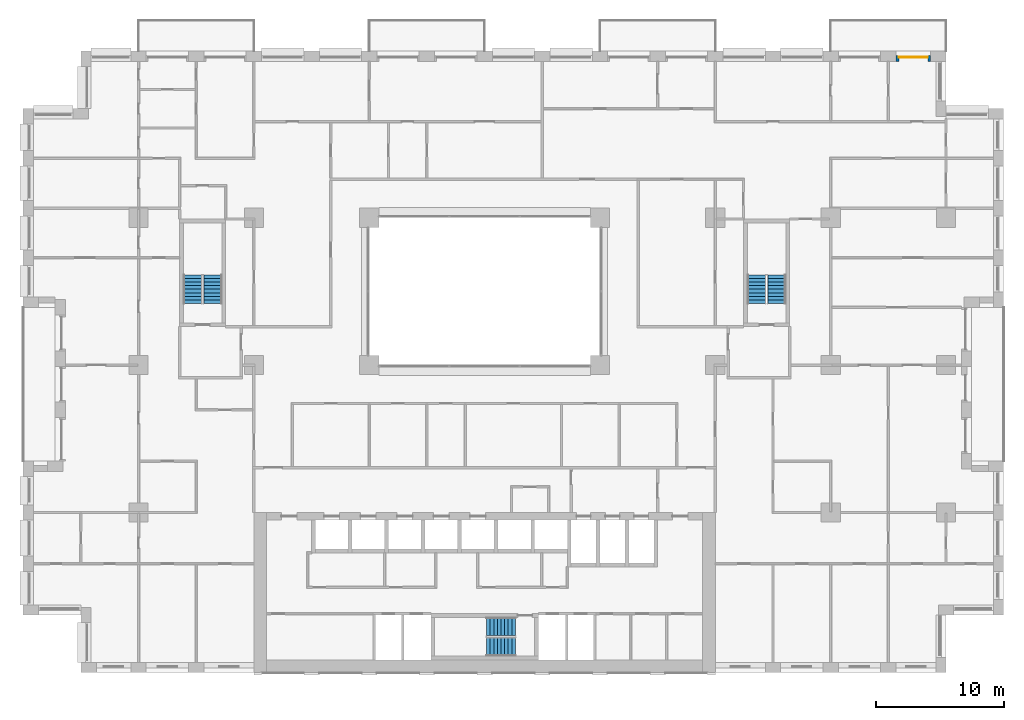
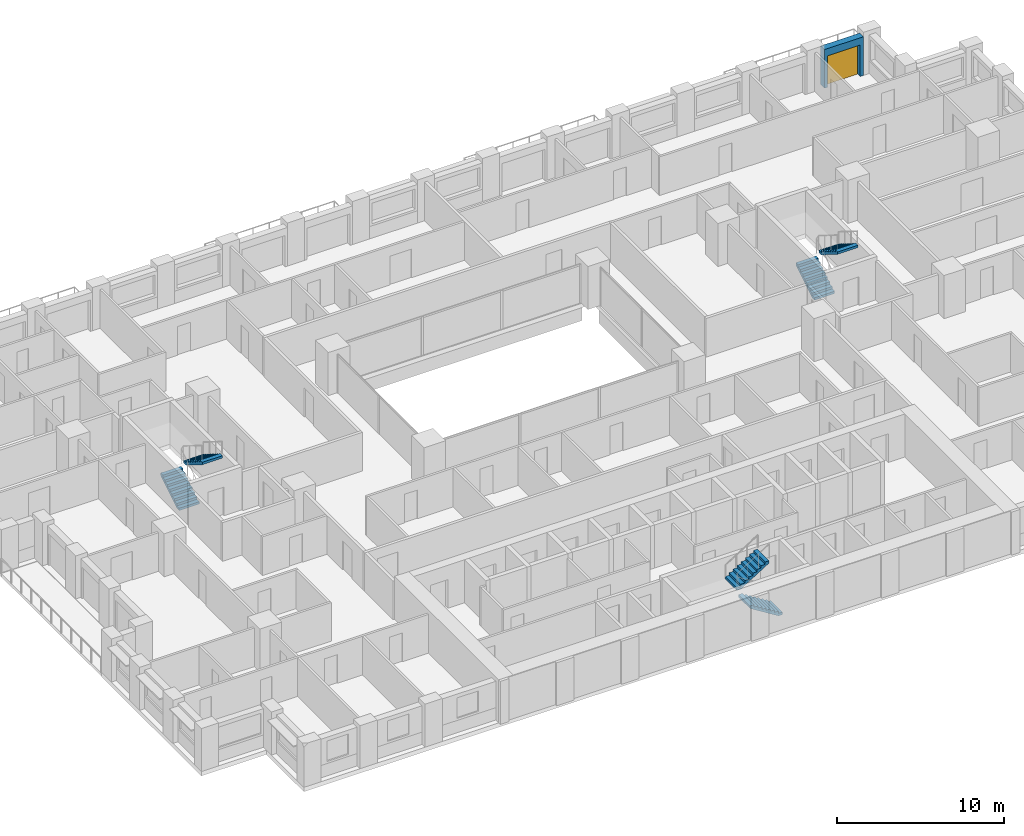
# One storey, part 18 of 20: 6 stair flights, 1 door, 1 wall, 1 opening, 3 elements without a shape of their own.
"""IFC4 building model written with IfcOpenShell, lengths in metres."""

from ifc_helpers import new_model, si_unit, direction, frame, frame_2d, origin, place, context, subcontext, project, spatial, polyline, rectangle, outline, extrude, material, layer, layer_set, type_object, element, fill, aggregate, save


model = new_model("IFC4")

# Units and contexts
model_context = context("Model", 3, precision=1e-05, world=origin(), true_north=direction((0.0, 1.0)))
body_context = subcontext(model_context, "Body", "Model", "MODEL_VIEW")
ifc_project = project(units=[si_unit("LENGTHUNIT", "METRE"), si_unit("AREAUNIT", "SQUARE_METRE"), si_unit("VOLUMEUNIT", "CUBIC_METRE"), si_unit("PLANEANGLEUNIT", "RADIAN"), si_unit("MASSUNIT", "GRAM", prefix="KILO")], contexts=[model_context])

# Site, building, storey
site_placement = place(None, origin())
site = spatial("IfcSite", under=ifc_project, at=site_placement, CompositionType="ELEMENT")
building_placement = place(site_placement, origin())
building = spatial("IfcBuilding", under=site, at=building_placement, Name="Brigalow Station Residences", CompositionType="ELEMENT")
storey_placement = place(building_placement, frame((0.0, 0.0, 63.60009765625)))
storey = spatial("IfcBuildingStorey", under=building, at=storey_placement, Name="L18", CompositionType="ELEMENT", Elevation=63.60009765625)

# Wall, opening, door
ifc_material_1 = material(Name="Clay brick masonry", Category="masonry")
ifc_layer = layer(ifc_material_1, 0.449951171875)
ifc_layer_set = layer_set([ifc_layer], Name="BRICK INFILL WALL 450")
wall_type = type_object("IfcWallType", Name="BRICK INFILL WALL 450", PredefinedType="SOLIDWALL", material=ifc_layer_set)
wall_placement = place(storey_placement, frame((70.800048828125, 47.925048828125, 0.0), z_axis=(0.0, 0.0, 1.0), x_axis=(-1.0, 0.0, 0.0)))
wall = element("IfcWall", 1, at=wall_placement, inside=storey, type_object=wall_type, Name="L18/ewall/W-L18-25", PredefinedType="SOLIDWALL", context=body_context, shape_type="SweptSolid", body=[
    extrude(rectangle(XDim=2.699951171875, YDim=0.449951171875, at=frame_2d((1.35009765625, 0.0))), origin(), (0.0, 0.0, 1.0), 2.829833984375),
])
opening_placement = place(wall_placement, frame((0.22509765625, 0.0, 0.0)))
opening = element("IfcOpeningElement", 2, at=opening_placement, cuts=wall, Name="Opening D-B2250", PredefinedType="OPENING", context=body_context, shape_type="SweptSolid", body=[
    extrude(rectangle(XDim=2.25, YDim=2.300048828125, at=frame_2d((1.125, 1.14990234375))), frame((0.0, 0.23486328125, 0.0), z_axis=(0.0, -1.0, 0.0), x_axis=(1.0, 0.0, 0.0)), (0.0, 0.0, 1.0), 0.469970703125),
])
ifc_material_2 = material(Name="Anodised aluminium frame with double glazing", Category="aluminium")
door_type = type_object("IfcDoorType", Name="BALCONY SLIDING DOOR 2250x2300", OperationType="SLIDING_TO_LEFT", PredefinedType="DOOR", material=ifc_material_2)
door_placement = place(opening_placement, origin())
door = element("IfcDoor", 3, at=door_placement, inside=storey, type_object=door_type, Name="L18/balcony-door/W-L18-25", OperationType="SLIDING_TO_LEFT", OverallHeight=2.300048828125, OverallWidth=2.25, PredefinedType="DOOR", context=body_context, shape_type="SweptSolid", body=[
    extrude(rectangle(XDim=2.25, YDim=2.300048828125, at=frame_2d((1.125, 1.14990234375))), frame((0.0, -0.06982421875, 0.0), z_axis=(0.0, -1.0, 0.0), x_axis=(1.0, 0.0, 0.0)), (0.0, 0.0, 1.0), 0.050048828125),
])
fill(opening, door)

# Stair, stair flights
ifc_material_3 = material(Name="Concrete C50", Category="concrete")
stair_type = type_object("IfcStairType", Name="EXIT STAIR 1400 2 FLIGHT", PredefinedType="HALF_TURN_STAIR", material=ifc_material_3)
stair_1_placement = place(storey_placement, origin())
stair_1 = element("IfcStair", 4, at=stair_1_placement, inside=storey, type_object=stair_type, Name="EXIT STAIR S2 L18", PredefinedType="HALF_TURN_STAIR")
ifc_material_4 = material(Name="Concrete C50", Category="concrete")
stair_flight_type = type_object("IfcStairFlightType", Name="STAIR FLIGHT 1400", PredefinedType="STRAIGHT", material=ifc_material_4)
stair_flight_1_placement = place(storey_placement, frame((38.39990234375, 2.0, 0.0), z_axis=(0.0, 0.0, 1.0), x_axis=(-1.0, 0.0, 0.0)))
stair_flight_1 = element("IfcStairFlight", 5, at=stair_flight_1_placement, type_object=stair_flight_type, Name="ST-2 flight 1", NumberOfRisers=9, NumberOfTreads=8, PredefinedType="STRAIGHT", RiserHeight=0.175, TreadLength=0.28, context=body_context, shape_type="SweptSolid", body=[
    extrude(outline(polyline([(0.0, 0.0), (0.0, 0.175048828125), (0.280029296875, 0.175048828125), (0.280029296875, 0.35009765625), (0.56005859375, 0.35009765625), (0.56005859375, 0.52490234375), (0.840087890625, 0.52490234375), (0.840087890625, 0.699951171875), (1.1201171875, 0.699951171875), (1.1201171875, 0.875), (1.39990234375, 0.875), (1.39990234375, 1.050048828125), (1.679931640625, 1.050048828125), (1.679931640625, 1.22509765625), (1.9599609375, 1.22509765625), (1.9599609375, 1.39990234375), (2.239990234375, 1.39990234375), (2.239990234375, 1.574951171875), (2.239990234375, 1.22314453125), (0.28271484375, 0.0), (0.0, 0.0)])), frame((0.0, 0.699951171875, 0.0), z_axis=(0.0, -1.0, 0.0), x_axis=(1.0, 0.0, 0.0)), (0.0, 0.0, 1.0), 1.39990234375),
])
stair_flight_2_placement = place(storey_placement, frame((36.159912109375, 3.60009765625, 1.574951171875), z_axis=(0.0, 0.0, 1.0), x_axis=(1.0, 0.0, 0.0)))
stair_flight_2 = element("IfcStairFlight", 6, at=stair_flight_2_placement, type_object=stair_flight_type, Name="ST-2 flight 2", NumberOfRisers=9, NumberOfTreads=8, PredefinedType="STRAIGHT", RiserHeight=0.175, TreadLength=0.28, context=body_context, shape_type="SweptSolid", body=[
    extrude(outline(polyline([(0.0, 0.0), (0.0, 0.175048828125), (0.280029296875, 0.175048828125), (0.280029296875, 0.35009765625), (0.56005859375, 0.35009765625), (0.56005859375, 0.52490234375), (0.840087890625, 0.52490234375), (0.840087890625, 0.699951171875), (1.1201171875, 0.699951171875), (1.1201171875, 0.875), (1.39990234375, 0.875), (1.39990234375, 1.050048828125), (1.679931640625, 1.050048828125), (1.679931640625, 1.22509765625), (1.9599609375, 1.22509765625), (1.9599609375, 1.39990234375), (2.239990234375, 1.39990234375), (2.239990234375, 1.574951171875), (2.239990234375, 1.22314453125), (0.28271484375, 0.0), (0.0, 0.0)])), frame((0.0, 0.699951171875, 0.0), z_axis=(0.0, -1.0, 0.0), x_axis=(1.0, 0.0, 0.0)), (0.0, 0.0, 1.0), 1.39990234375),
])
aggregate(stair_1, [stair_flight_1, stair_flight_2])

stair_2_placement = place(storey_placement, origin())
stair_2 = element("IfcStair", 7, at=stair_2_placement, inside=storey, type_object=stair_type, Name="EXIT STAIR S1 L18", PredefinedType="HALF_TURN_STAIR")
stair_flight_3_placement = place(storey_placement, frame((13.199951171875, 28.800048828125, 0.0), z_axis=(0.0, 0.0, 1.0), x_axis=(0.0, 1.0, 0.0)))
stair_flight_3 = element("IfcStairFlight", 8, at=stair_flight_3_placement, type_object=stair_flight_type, Name="ST-1 flight 1", NumberOfRisers=9, NumberOfTreads=8, PredefinedType="STRAIGHT", RiserHeight=0.175, TreadLength=0.28, context=body_context, shape_type="SweptSolid", body=[
    extrude(outline(polyline([(0.0, 0.0), (0.0, 0.175048828125), (0.280029296875, 0.175048828125), (0.280029296875, 0.35009765625), (0.56005859375, 0.35009765625), (0.56005859375, 0.52490234375), (0.840087890625, 0.52490234375), (0.840087890625, 0.699951171875), (1.1201171875, 0.699951171875), (1.1201171875, 0.875), (1.39990234375, 0.875), (1.39990234375, 1.050048828125), (1.679931640625, 1.050048828125), (1.679931640625, 1.22509765625), (1.9599609375, 1.22509765625), (1.9599609375, 1.39990234375), (2.239990234375, 1.39990234375), (2.239990234375, 1.574951171875), (2.239990234375, 1.22314453125), (0.28271484375, 0.0), (0.0, 0.0)])), frame((0.0, 0.699951171875, 0.0), z_axis=(0.0, -1.0, 0.0), x_axis=(1.0, 0.0, 0.0)), (0.0, 0.0, 1.0), 1.39990234375),
])
stair_flight_4_placement = place(storey_placement, frame((14.800048828125, 31.0400390625, 1.574951171875), z_axis=(0.0, 0.0, 1.0), x_axis=(0.0, -1.0, 0.0)))
stair_flight_4 = element("IfcStairFlight", 9, at=stair_flight_4_placement, type_object=stair_flight_type, Name="ST-1 flight 2", NumberOfRisers=9, NumberOfTreads=8, PredefinedType="STRAIGHT", RiserHeight=0.175, TreadLength=0.28, context=body_context, shape_type="SweptSolid", body=[
    extrude(outline(polyline([(0.0, 0.0), (0.0, 0.175048828125), (0.280029296875, 0.175048828125), (0.280029296875, 0.35009765625), (0.56005859375, 0.35009765625), (0.56005859375, 0.52490234375), (0.840087890625, 0.52490234375), (0.840087890625, 0.699951171875), (1.1201171875, 0.699951171875), (1.1201171875, 0.875), (1.39990234375, 0.875), (1.39990234375, 1.050048828125), (1.679931640625, 1.050048828125), (1.679931640625, 1.22509765625), (1.9599609375, 1.22509765625), (1.9599609375, 1.39990234375), (2.239990234375, 1.39990234375), (2.239990234375, 1.574951171875), (2.239990234375, 1.22314453125), (0.28271484375, 0.0), (0.0, 0.0)])), frame((0.0, 0.699951171875, 0.0), z_axis=(0.0, -1.0, 0.0), x_axis=(1.0, 0.0, 0.0)), (0.0, 0.0, 1.0), 1.39990234375),
])
aggregate(stair_2, [stair_flight_3, stair_flight_4])

stair_3_placement = place(storey_placement, origin())
stair_3 = element("IfcStair", 10, at=stair_3_placement, inside=storey, type_object=stair_type, Name="EXIT STAIR S3 L18", PredefinedType="HALF_TURN_STAIR")
stair_flight_5_placement = place(storey_placement, frame((57.199951171875, 28.800048828125, 0.0), z_axis=(0.0, 0.0, 1.0), x_axis=(0.0, 1.0, 0.0)))
stair_flight_5 = element("IfcStairFlight", 11, at=stair_flight_5_placement, type_object=stair_flight_type, Name="ST-3 flight 1", NumberOfRisers=9, NumberOfTreads=8, PredefinedType="STRAIGHT", RiserHeight=0.175, TreadLength=0.28, context=body_context, shape_type="SweptSolid", body=[
    extrude(outline(polyline([(0.0, 0.0), (0.0, 0.175048828125), (0.280029296875, 0.175048828125), (0.280029296875, 0.35009765625), (0.56005859375, 0.35009765625), (0.56005859375, 0.52490234375), (0.840087890625, 0.52490234375), (0.840087890625, 0.699951171875), (1.1201171875, 0.699951171875), (1.1201171875, 0.875), (1.39990234375, 0.875), (1.39990234375, 1.050048828125), (1.679931640625, 1.050048828125), (1.679931640625, 1.22509765625), (1.9599609375, 1.22509765625), (1.9599609375, 1.39990234375), (2.239990234375, 1.39990234375), (2.239990234375, 1.574951171875), (2.239990234375, 1.22314453125), (0.28271484375, 0.0), (0.0, 0.0)])), frame((0.0, 0.699951171875, 0.0), z_axis=(0.0, -1.0, 0.0), x_axis=(1.0, 0.0, 0.0)), (0.0, 0.0, 1.0), 1.39990234375),
])
stair_flight_6_placement = place(storey_placement, frame((58.800048828125, 31.0400390625, 1.574951171875), z_axis=(0.0, 0.0, 1.0), x_axis=(0.0, -1.0, 0.0)))
stair_flight_6 = element("IfcStairFlight", 12, at=stair_flight_6_placement, type_object=stair_flight_type, Name="ST-3 flight 2", NumberOfRisers=9, NumberOfTreads=8, PredefinedType="STRAIGHT", RiserHeight=0.175, TreadLength=0.28, context=body_context, shape_type="SweptSolid", body=[
    extrude(outline(polyline([(0.0, 0.0), (0.0, 0.175048828125), (0.280029296875, 0.175048828125), (0.280029296875, 0.35009765625), (0.56005859375, 0.35009765625), (0.56005859375, 0.52490234375), (0.840087890625, 0.52490234375), (0.840087890625, 0.699951171875), (1.1201171875, 0.699951171875), (1.1201171875, 0.875), (1.39990234375, 0.875), (1.39990234375, 1.050048828125), (1.679931640625, 1.050048828125), (1.679931640625, 1.22509765625), (1.9599609375, 1.22509765625), (1.9599609375, 1.39990234375), (2.239990234375, 1.39990234375), (2.239990234375, 1.574951171875), (2.239990234375, 1.22314453125), (0.28271484375, 0.0), (0.0, 0.0)])), frame((0.0, 0.699951171875, 0.0), z_axis=(0.0, -1.0, 0.0), x_axis=(1.0, 0.0, 0.0)), (0.0, 0.0, 1.0), 1.39990234375),
])
aggregate(stair_3, [stair_flight_5, stair_flight_6])

save(model, "model.ifc")
